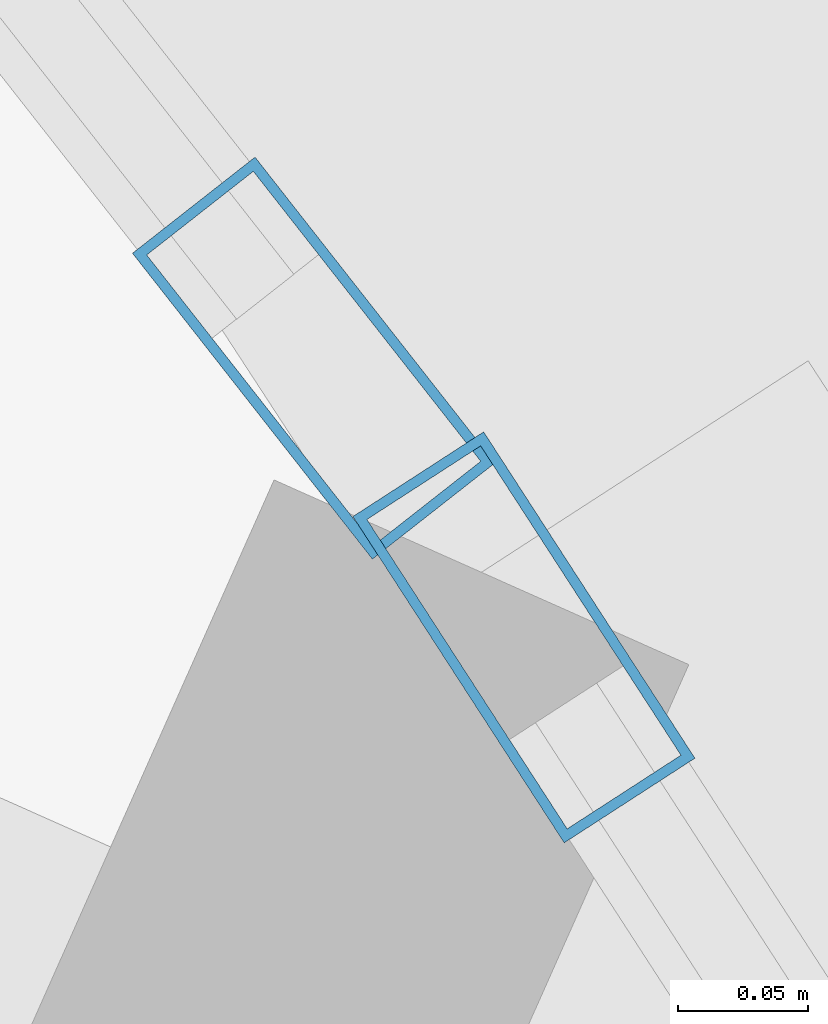
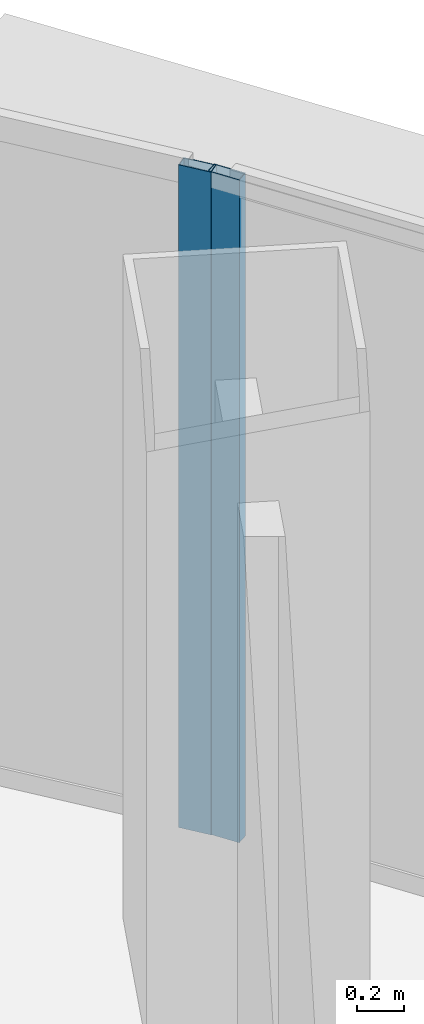
# One storey, part 22 of 39: 2 members, 2 elements without a shape of their own.
"""IFC4 building model written with IfcOpenShell, lengths in metres."""

from ifc_helpers import new_model, si_unit, direction, frame, origin, origin_2d, place, context, subcontext, project, spatial, hollow_rectangle, extrude, source, transform, mapped, material, layer, layer_set, material_profile, profile_set, type_object, element, aggregate, save


model = new_model("IFC4")

# Units and contexts
model_context = context("Model", 3, precision=1e-05, world=origin(), true_north=direction((0.0, 1.0)))
body_context = subcontext(model_context, "Body", "Model", "MODEL_VIEW")
ifc_project = project(units=[si_unit("LENGTHUNIT", "METRE"), si_unit("AREAUNIT", "SQUARE_METRE"), si_unit("VOLUMEUNIT", "CUBIC_METRE"), si_unit("PLANEANGLEUNIT", "RADIAN"), si_unit("MASSUNIT", "GRAM", prefix="KILO"), si_unit("THERMODYNAMICTEMPERATUREUNIT", "KELVIN"), si_unit("POWERUNIT", "WATT")], contexts=[model_context])

# Site, building, storey
site_placement = place(None, origin())
site = spatial("IfcSite", under=ifc_project, at=site_placement, CompositionType="ELEMENT")
building_placement = place(site_placement, origin())
building = spatial("IfcBuilding", under=site, at=building_placement, Name="Yunzhuo Pagoda Commons", CompositionType="ELEMENT")
storey_placement = place(building_placement, frame((0.0, 0.0, 162.949951171875)))
storey = spatial("IfcBuildingStorey", under=building, at=storey_placement, Name="L41", CompositionType="ELEMENT", Elevation=162.949951171875)

# Curtain wall, member
ifc_material = material(Name="Anodized aluminium 6063-T6", Category="aluminium")
ifc_layer = layer(ifc_material, 0.14990234375)
ifc_layer_set = layer_set([ifc_layer], Name="Anodized aluminium 6063-T6")
curtain_wall_type = type_object("IfcCurtainWallType", Name="CW-MID Mid-Zone Ribbon Curtain Wall", PredefinedType="NOTDEFINED", material=ifc_layer_set)
curtain_wall_1_placement = place(storey_placement, origin())
curtain_wall_1 = element("IfcCurtainWall", 1, at=curtain_wall_1_placement, inside=storey, type_object=curtain_wall_type, Name="L41 curtain wall CW-L41-F2B4", PredefinedType="NOTDEFINED")
ifc_material_profile = material_profile(ifc_material, hollow_rectangle(XDim=0.06005859375, YDim=0.14990234375, WallThickness=0.00390625, at=origin_2d()), Name="Anodized aluminium 6063-T6")
ifc_profile_set = profile_set([ifc_material_profile], Name="Anodized aluminium 6063-T6")
member_type = type_object("IfcMemberType", Name="CW-MID-M Mullion RHS 150x60x4", PredefinedType="MULLION", material=ifc_profile_set)
shared_shape = source(origin(), body_context, "Body", "SweptSolid", [
    extrude(hollow_rectangle(XDim=0.06005859375, YDim=0.14990234375, WallThickness=0.00390625, at=origin_2d()), origin(), (0.0, 0.0, 1.0), 3.420166015625),
])
member_1_placement = place(storey_placement, frame((63.849609375, 69.23681640625, 0.0), z_axis=(0.0, 0.0, 1.0), x_axis=(-0.839466065689, -0.543412113002, 0.0)))
member_1 = element("IfcMember", 2, at=member_1_placement, type_object=member_type, Name="CW mullion 2", PredefinedType="MULLION", context=body_context, shape_type="MappedRepresentation", body=[
    mapped(shared_shape, transform((0.0, 0.0, 0.0), scale=1.0)),
])
aggregate(curtain_wall_1, [member_1])

curtain_wall_2_placement = place(storey_placement, origin())
curtain_wall_2 = element("IfcCurtainWall", 3, at=curtain_wall_2_placement, inside=storey, type_object=curtain_wall_type, Name="L41 curtain wall CW-L41-F2B5", PredefinedType="NOTDEFINED")
member_2_placement = place(storey_placement, frame((63.7685546875, 69.344482421875, 0.0), z_axis=(0.0, 0.0, 1.0), x_axis=(-0.786855306064, -0.617137527071, 0.0)))
member_2 = element("IfcMember", 4, at=member_2_placement, type_object=member_type, Name="CW mullion 1", PredefinedType="MULLION", context=body_context, shape_type="MappedRepresentation", body=[
    mapped(shared_shape, transform((0.0, 0.0, 0.0), scale=1.0)),
])
aggregate(curtain_wall_2, [member_2])

save(model, "model.ifc")
